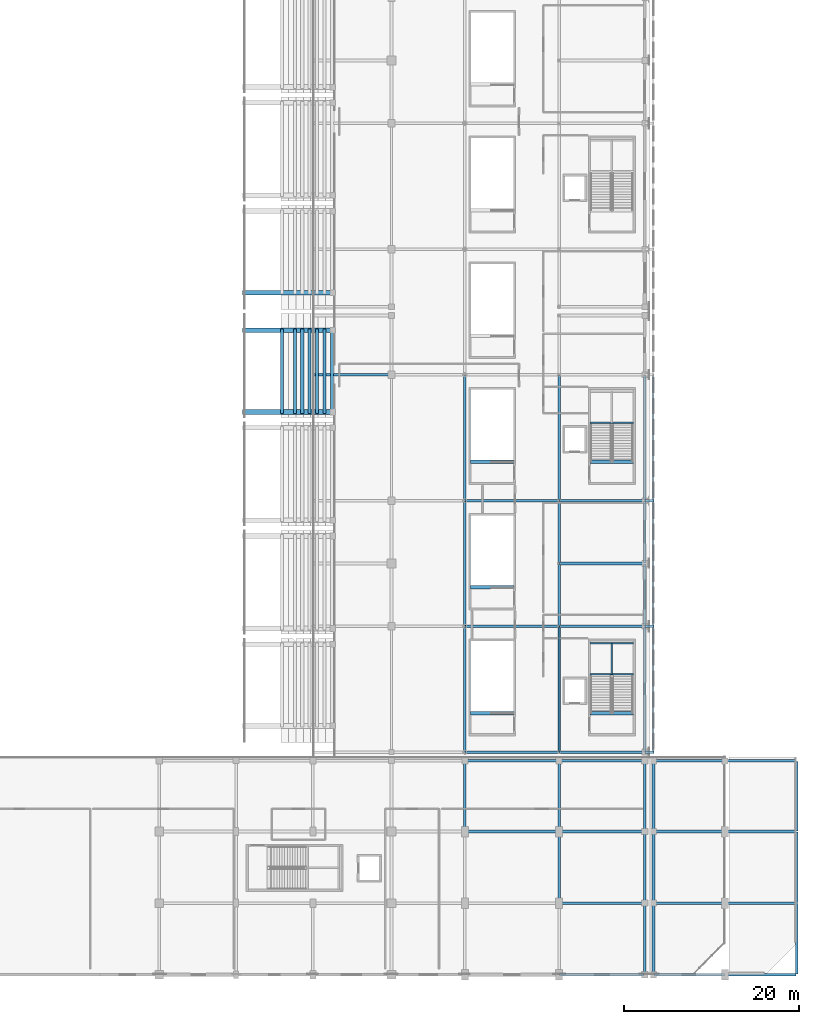
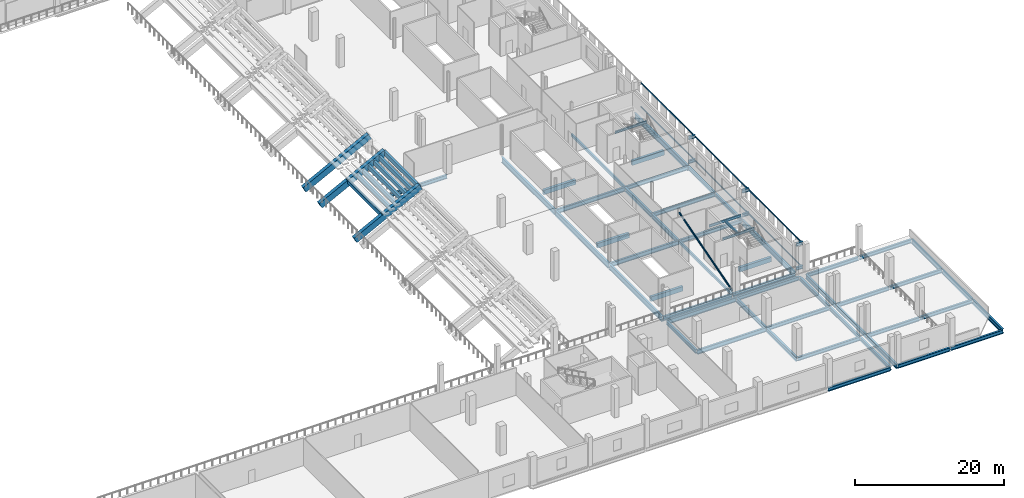
# One storey, part 18 of 74: 70 beams, 7 members.
"""IFC4 building model written with IfcOpenShell, lengths in metres."""

from ifc_helpers import new_model, si_unit, direction, frame, origin, origin_2d, place, context, subcontext, project, spatial, rectangle, hollow_rectangle, hollow_circle, i_section, extrude, material, material_profile, profile_set, type_object, element, save


model = new_model("IFC4")

# Units and contexts
model_context = context("Model", 3, precision=1e-05, world=origin(), true_north=direction((0.0, 1.0)))
body_context = subcontext(model_context, "Body", "Model", "MODEL_VIEW")
ifc_project = project(units=[si_unit("LENGTHUNIT", "METRE"), si_unit("AREAUNIT", "SQUARE_METRE"), si_unit("VOLUMEUNIT", "CUBIC_METRE"), si_unit("PLANEANGLEUNIT", "RADIAN"), si_unit("MASSUNIT", "GRAM", prefix="KILO")], contexts=[model_context])

# Site, building, storey
site_placement = place(None, origin())
site = spatial("IfcSite", under=ifc_project, at=site_placement, CompositionType="ELEMENT")
building_placement = place(site_placement, origin())
building = spatial("IfcBuilding", under=site, at=building_placement, Name="Koshinbarg Plaza Stadium", CompositionType="ELEMENT")
storey_placement = place(building_placement, frame((0.0, 0.0, 15.0)))
storey = spatial("IfcBuildingStorey", under=building, at=storey_placement, Name="L03", CompositionType="ELEMENT", Elevation=15.0)

# Beams
ifc_material_1 = material(Name="Steel S355", Category="steel")
ifc_material_profile_1 = material_profile(ifc_material_1, i_section(OverallWidth=0.300048828125, OverallDepth=0.5, WebThickness=0.014404296875, FlangeThickness=0.028076171875, at=origin_2d()), Name="HEB 500")
ifc_profile_set_1 = profile_set([ifc_material_profile_1], Name="Steel S355")
beam_type_1 = type_object("IfcBeamType", Name="BM-CANOPY-CANT", PredefinedType="BEAM", material=ifc_profile_set_1)
for number, where, z_axis, x_axis, name in (
    (1, (218.39990234375, 25.5, 0.25), (1.0, 0.0, 0.0), (0.0, 1.0, 0.0), "Outer screen cantilever outrigger E-L03-Y01"),
    (2, (218.39990234375, 25.5, 4.179931640625), (1.0, 0.0, 0.0), (0.0, 1.0, 0.0), "Outer screen cantilever outrigger E-L03-Y01"),
    (3, (218.39990234375, 39.89990234375, 0.25), (1.0, 0.0, 0.0), (0.0, 1.0, 0.0), "Outer screen cantilever outrigger E-L03-Y02"),
    (4, (218.39990234375, 39.89990234375, 4.179931640625), (1.0, 0.0, 0.0), (0.0, 1.0, 0.0), "Outer screen cantilever outrigger E-L03-Y02"),
    (5, (218.39990234375, 54.300048828125, 0.25), (1.0, 0.0, 0.0), (0.0, 1.0, 0.0), "Outer screen cantilever outrigger E-L03-Y03"),
    (6, (218.39990234375, 54.300048828125, 4.179931640625), (1.0, 0.0, 0.0), (0.0, 1.0, 0.0), "Outer screen cantilever outrigger E-L03-Y03"),
):
    element("IfcBeam", number, at=place(storey_placement, frame(where, z_axis=z_axis, x_axis=x_axis)), inside=storey, type_object=beam_type_1, Name=name, PredefinedType="BEAM", context=body_context, shape_type="SweptSolid", body=[
        extrude(i_section(OverallWidth=0.300048828125, OverallDepth=0.5, WebThickness=0.014404296875, FlangeThickness=0.028076171875, at=origin_2d()), origin(), (0.0, 0.0, 1.0), 1.030029296875),
    ])
ifc_material_2 = material(Name="Concrete C40/50", Category="concrete")
ifc_material_profile_2 = material_profile(ifc_material_2, rectangle(XDim=0.550048828125, YDim=1.0, at=origin_2d()), Name="RC 550x1000")
ifc_profile_set_2 = profile_set([ifc_material_profile_2], Name="Concrete C40/50")
beam_type_2 = type_object("IfcBeamType", Name="BM-RAKER-UT", PredefinedType="USERDEFINED", material=ifc_profile_set_2)
for number, where, z_axis, x_axis, name in (
    (7, (172.5400390625, 64.449951171875, -2.54296875), (0.888953125137, 0.0, 0.457998189198), (0.0, 1.0, 0.0), "Upper cantilevered bowl raker girder RAKER UT-E04-L"),
    (8, (172.5400390625, 73.800048828125, -2.54296875), (0.888953125137, 0.0, 0.457998189198), (0.0, 1.0, 0.0), "Upper cantilevered bowl raker girder RAKER UT-E04-R"),
    (9, (172.5400390625, 78.10009765625, -2.54296875), (0.888953125137, 0.0, 0.457998189198), (0.0, 1.0, 0.0), "Upper cantilevered bowl raker girder RAKER UT-E05-L"),
):
    element("IfcBeam", number, at=place(storey_placement, frame(where, z_axis=z_axis, x_axis=x_axis)), inside=storey, type_object=beam_type_2, Name=name, ObjectType="GIRDER", PredefinedType="USERDEFINED", context=body_context, shape_type="SweptSolid", body=[
        extrude(rectangle(XDim=0.550048828125, YDim=1.0, at=origin_2d()), origin(), (0.0, 0.0, 1.0), 11.384033203125),
    ])
ifc_material_profile_3 = material_profile(ifc_material_2, rectangle(XDim=0.35009765625, YDim=0.60009765625, at=origin_2d()), Name="RC 350x600")
ifc_profile_set_3 = profile_set([ifc_material_profile_3], Name="Concrete C40/50")
beam_type_3 = type_object("IfcBeamType", Name="BM-RCG-01", PredefinedType="SPANDREL", material=ifc_profile_set_3)
for number, where, z_axis, x_axis, name in (
    (10, (176.8701171875, 64.300048828125, -0.080078125), (0.0, 1.0, 0.0), (-1.0, 0.0, 0.0), "Upper tier seat bearer UT-E04-R06"),
    (11, (178.330078125, 64.300048828125, 0.360107421875), (0.0, 1.0, 0.0), (-1.0, 0.0, 0.0), "Upper tier seat bearer UT-E04-R07"),
    (12, (179.179931640625, 64.300048828125, 0.800048828125), (0.0, 1.0, 0.0), (-1.0, 0.0, 0.0), "Upper tier seat bearer UT-E04-R08"),
    (13, (180.030029296875, 64.300048828125, 1.239990234375), (0.0, 1.0, 0.0), (-1.0, 0.0, 0.0), "Upper tier seat bearer UT-E04-R09"),
    (14, (180.8798828125, 64.300048828125, 1.679931640625), (0.0, 1.0, 0.0), (-1.0, 0.0, 0.0), "Upper tier seat bearer UT-E04-R10"),
    (15, (181.72998046875, 64.300048828125, 2.1201171875), (0.0, 1.0, 0.0), (-1.0, 0.0, 0.0), "Upper tier seat bearer UT-E04-R11"),
    (16, (182.580078125, 64.300048828125, 2.56005859375), (0.0, 1.0, 0.0), (-1.0, 0.0, 0.0), "Upper tier seat bearer UT-E04-R12"),
):
    element("IfcBeam", number, at=place(storey_placement, frame(where, z_axis=z_axis, x_axis=x_axis)), inside=storey, type_object=beam_type_3, Name=name, PredefinedType="SPANDREL", context=body_context, shape_type="SweptSolid", body=[
        extrude(rectangle(XDim=0.35009765625, YDim=0.60009765625, at=origin_2d()), origin(), (0.0, 0.0, 1.0), 9.64990234375),
    ])
ifc_material_profile_4 = material_profile(ifc_material_2, rectangle(XDim=0.39990234375, YDim=0.75, at=origin_2d()), Name="RC 400x750")
ifc_profile_set_4 = profile_set([ifc_material_profile_4], Name="Concrete C40/50")
beam_type_4 = type_object("IfcBeamType", Name="BM-RCG-03", PredefinedType="USERDEFINED", material=ifc_profile_set_4)
for number, where, z_axis, x_axis, name in (
    (17, (212.14990234375, 29.9599609375, -0.375), (1.0, 0.0, 0.0), (0.0, 1.0, 0.0), "L03 stair landing header beam C07"),
    (18, (212.14990234375, 58.760009765625, -0.375), (1.0, 0.0, 0.0), (0.0, 1.0, 0.0), "L03 stair landing header beam C08"),
):
    element("IfcBeam", number, at=place(storey_placement, frame(where, z_axis=z_axis, x_axis=x_axis)), inside=storey, type_object=beam_type_4, Name=name, ObjectType="GIRDER", PredefinedType="USERDEFINED", context=body_context, shape_type="SweptSolid", body=[
        extrude(rectangle(XDim=0.39990234375, YDim=0.75, at=origin_2d()), origin(), (0.0, 0.0, 1.0), 4.97021484375),
    ])
for number, where, z_axis, x_axis, name in (
    (19, (198.449951171875, 29.9599609375, -0.375), (1.0, 0.0, 0.0), (0.0, 1.0, 0.0), "L03 stair landing header beam VX07"),
    (20, (198.449951171875, 44.360107421875, -0.375), (1.0, 0.0, 0.0), (0.0, 1.0, 0.0), "L03 stair landing header beam VX08"),
    (21, (198.449951171875, 58.760009765625, -0.375), (1.0, 0.0, 0.0), (0.0, 1.0, 0.0), "L03 stair landing header beam VX09"),
):
    element("IfcBeam", number, at=place(storey_placement, frame(where, z_axis=z_axis, x_axis=x_axis)), inside=storey, type_object=beam_type_4, Name=name, ObjectType="GIRDER", PredefinedType="USERDEFINED", context=body_context, shape_type="SweptSolid", body=[
        extrude(rectangle(XDim=0.39990234375, YDim=0.75, at=origin_2d()), origin(), (0.0, 0.0, 1.0), 4.969970703125),
    ])
ifc_material_profile_5 = material_profile(ifc_material_1, i_section(OverallWidth=0.179931640625, OverallDepth=0.39990234375, WebThickness=0.008544921875, FlangeThickness=0.013427734375, at=origin_2d()), Name="IPE 400")
ifc_profile_set_5 = profile_set([ifc_material_profile_5], Name="Steel S355")
beam_type_5 = type_object("IfcBeamType", Name="BM-SBM-01", PredefinedType="BEAM", material=ifc_profile_set_5)
for number, where, z_axis, x_axis, name in (
    (22, (212.14990234375, 34.409912109375, 1.8798828125), (1.0, 0.0, 0.0), (0.0, 1.0, 0.0), "L03 Protected Exit Stair C07 landing trimmer beam 1"),
    (23, (212.14990234375, 37.949951171875, 1.8798828125), (1.0, 0.0, 0.0), (0.0, 1.0, 0.0), "L03 Protected Exit Stair C07 landing trimmer beam 2"),
):
    element("IfcBeam", number, at=place(storey_placement, frame(where, z_axis=z_axis, x_axis=x_axis)), inside=storey, type_object=beam_type_5, Name=name, PredefinedType="BEAM", context=body_context, shape_type="SweptSolid", body=[
        extrude(i_section(OverallWidth=0.179931640625, OverallDepth=0.39990234375, WebThickness=0.008544921875, FlangeThickness=0.013427734375, at=origin_2d()), origin(), (0.0, 0.0, 1.0), 4.97021484375),
    ])
beam_1_placement = place(storey_placement, frame((214.635009765625, 34.409912109375, 1.8798828125), z_axis=(0.0, 1.0, 0.0), x_axis=(-1.0, 0.0, 0.0)))
element("IfcBeam", 24, at=beam_1_placement, inside=storey, type_object=beam_type_5, Name="L03 Protected Exit Stair C07 landing trimmer beam 3", PredefinedType="BEAM", context=body_context, shape_type="SweptSolid", body=[
    extrude(i_section(OverallWidth=0.179931640625, OverallDepth=0.39990234375, WebThickness=0.008544921875, FlangeThickness=0.013427734375, at=origin_2d()), origin(), (0.0, 0.0, 1.0), 3.5400390625),
])
beam_2_placement = place(storey_placement, frame((212.14990234375, 63.2099609375, 1.8798828125), z_axis=(1.0, 0.0, 0.0), x_axis=(0.0, 1.0, 0.0)))
element("IfcBeam", 25, at=beam_2_placement, inside=storey, type_object=beam_type_5, Name="L03 Protected Exit Stair C08 landing trimmer beam 1", PredefinedType="BEAM", context=body_context, shape_type="SweptSolid", body=[
    extrude(i_section(OverallWidth=0.179931640625, OverallDepth=0.39990234375, WebThickness=0.008544921875, FlangeThickness=0.013427734375, at=origin_2d()), origin(), (0.0, 0.0, 1.0), 4.97021484375),
])
ifc_material_profile_6 = material_profile(ifc_material_1, i_section(OverallWidth=0.300048828125, OverallDepth=0.60009765625, WebThickness=0.015380859375, FlangeThickness=0.030029296875, at=origin_2d()), Name="HEB 600")
ifc_profile_set_6 = profile_set([ifc_material_profile_6], Name="Steel S355")
beam_type_6 = type_object("IfcBeamType", Name="BM-SGIR-02", PredefinedType="USERDEFINED", material=ifc_profile_set_6)
beam_3_placement = place(storey_placement, frame((208.659912109375, 0.0, -0.6201171875), z_axis=(1.0, 0.0, 0.0), x_axis=(0.0, 1.0, 0.0)))
element("IfcBeam", 26, at=beam_3_placement, inside=storey, type_object=beam_type_6, Name="L03 X girder A/20-21", ObjectType="GIRDER", PredefinedType="USERDEFINED", context=body_context, shape_type="SweptSolid", body=[
    extrude(i_section(OverallWidth=0.300048828125, OverallDepth=0.60009765625, WebThickness=0.015380859375, FlangeThickness=0.030029296875, at=origin_2d()), origin(), (0.0, 0.0, 1.0), 9.68017578125),
])
for number, where, z_axis, x_axis, name in (
    (27, (219.4599609375, 0.0, -0.6201171875), (1.0, 0.0, 0.0), (0.0, 1.0, 0.0), "L03 X girder A/22-23"),
    (28, (227.659912109375, 0.0, -0.60009765625), (1.0, 0.0, 0.0), (0.0, 1.0, 0.0), "L03 X girder A/23-24"),
):
    element("IfcBeam", number, at=place(storey_placement, frame(where, z_axis=z_axis, x_axis=x_axis)), inside=storey, type_object=beam_type_6, Name=name, ObjectType="GIRDER", PredefinedType="USERDEFINED", context=body_context, shape_type="SweptSolid", body=[
        extrude(i_section(OverallWidth=0.300048828125, OverallDepth=0.60009765625, WebThickness=0.015380859375, FlangeThickness=0.030029296875, at=origin_2d()), origin(), (0.0, 0.0, 1.0), 8.080078125),
    ])
beam_4_placement = place(storey_placement, frame((208.659912109375, 8.199951171875, -0.6201171875), z_axis=(1.0, 0.0, 0.0), x_axis=(0.0, 1.0, 0.0)))
element("IfcBeam", 29, at=beam_4_placement, inside=storey, type_object=beam_type_6, Name="L03 X girder B/20-21", ObjectType="GIRDER", PredefinedType="USERDEFINED", context=body_context, shape_type="SweptSolid", body=[
    extrude(i_section(OverallWidth=0.300048828125, OverallDepth=0.60009765625, WebThickness=0.015380859375, FlangeThickness=0.030029296875, at=origin_2d()), origin(), (0.0, 0.0, 1.0), 9.68017578125),
])
for number, where, z_axis, x_axis, name in (
    (30, (219.4599609375, 8.199951171875, -0.6201171875), (1.0, 0.0, 0.0), (0.0, 1.0, 0.0), "L03 X girder B/22-23"),
    (31, (227.659912109375, 8.199951171875, -0.60009765625), (1.0, 0.0, 0.0), (0.0, 1.0, 0.0), "L03 X girder B/23-24"),
):
    element("IfcBeam", number, at=place(storey_placement, frame(where, z_axis=z_axis, x_axis=x_axis)), inside=storey, type_object=beam_type_6, Name=name, ObjectType="GIRDER", PredefinedType="USERDEFINED", context=body_context, shape_type="SweptSolid", body=[
        extrude(i_section(OverallWidth=0.300048828125, OverallDepth=0.60009765625, WebThickness=0.015380859375, FlangeThickness=0.030029296875, at=origin_2d()), origin(), (0.0, 0.0, 1.0), 8.080078125),
    ])
beam_5_placement = place(storey_placement, frame((208.659912109375, 16.39990234375, -0.6201171875), z_axis=(1.0, 0.0, 0.0), x_axis=(0.0, 1.0, 0.0)))
element("IfcBeam", 32, at=beam_5_placement, inside=storey, type_object=beam_type_6, Name="L03 X girder C/20-21", ObjectType="GIRDER", PredefinedType="USERDEFINED", context=body_context, shape_type="SweptSolid", body=[
    extrude(i_section(OverallWidth=0.300048828125, OverallDepth=0.60009765625, WebThickness=0.015380859375, FlangeThickness=0.030029296875, at=origin_2d()), origin(), (0.0, 0.0, 1.0), 9.68017578125),
])
for number, where, z_axis, x_axis, name in (
    (33, (219.4599609375, 16.39990234375, -0.6201171875), (1.0, 0.0, 0.0), (0.0, 1.0, 0.0), "L03 X girder C/22-23"),
    (34, (227.659912109375, 16.39990234375, -0.60009765625), (1.0, 0.0, 0.0), (0.0, 1.0, 0.0), "L03 X girder C/23-24"),
):
    element("IfcBeam", number, at=place(storey_placement, frame(where, z_axis=z_axis, x_axis=x_axis)), inside=storey, type_object=beam_type_6, Name=name, ObjectType="GIRDER", PredefinedType="USERDEFINED", context=body_context, shape_type="SweptSolid", body=[
        extrude(i_section(OverallWidth=0.300048828125, OverallDepth=0.60009765625, WebThickness=0.015380859375, FlangeThickness=0.030029296875, at=origin_2d()), origin(), (0.0, 0.0, 1.0), 8.080078125),
    ])
beam_6_placement = place(storey_placement, frame((208.659912109375, 24.5, -0.6201171875), z_axis=(1.0, 0.0, 0.0), x_axis=(0.0, 1.0, 0.0)))
element("IfcBeam", 35, at=beam_6_placement, inside=storey, type_object=beam_type_6, Name="L03 X girder D/20-21", ObjectType="GIRDER", PredefinedType="USERDEFINED", context=body_context, shape_type="SweptSolid", body=[
    extrude(i_section(OverallWidth=0.300048828125, OverallDepth=0.60009765625, WebThickness=0.015380859375, FlangeThickness=0.030029296875, at=origin_2d()), origin(), (0.0, 0.0, 1.0), 9.68017578125),
])
for number, where, z_axis, x_axis, name in (
    (36, (219.4599609375, 24.5, -0.6201171875), (1.0, 0.0, 0.0), (0.0, 1.0, 0.0), "L03 X girder D/22-23"),
    (37, (227.659912109375, 24.5, -0.60009765625), (1.0, 0.0, 0.0), (0.0, 1.0, 0.0), "L03 X girder D/23-24"),
):
    element("IfcBeam", number, at=place(storey_placement, frame(where, z_axis=z_axis, x_axis=x_axis)), inside=storey, type_object=beam_type_6, Name=name, ObjectType="GIRDER", PredefinedType="USERDEFINED", context=body_context, shape_type="SweptSolid", body=[
        extrude(i_section(OverallWidth=0.300048828125, OverallDepth=0.60009765625, WebThickness=0.015380859375, FlangeThickness=0.030029296875, at=origin_2d()), origin(), (0.0, 0.0, 1.0), 8.080078125),
    ])
for number, where, z_axis, x_axis, name in (
    (38, (208.659912109375, 25.5, -0.6201171875), (1.0, 0.0, 0.0), (0.0, 1.0, 0.0), "L03 X girder E/20-21"),
    (39, (208.659912109375, 39.89990234375, -0.6201171875), (1.0, 0.0, 0.0), (0.0, 1.0, 0.0), "L03 X girder F/20-21"),
    (40, (208.659912109375, 47.10009765625, -0.6201171875), (1.0, 0.0, 0.0), (0.0, 1.0, 0.0), "L03 X girder G/20-21"),
    (41, (208.659912109375, 54.300048828125, -0.6201171875), (1.0, 0.0, 0.0), (0.0, 1.0, 0.0), "L03 X girder H/20-21"),
):
    element("IfcBeam", number, at=place(storey_placement, frame(where, z_axis=z_axis, x_axis=x_axis)), inside=storey, type_object=beam_type_6, Name=name, ObjectType="GIRDER", PredefinedType="USERDEFINED", context=body_context, shape_type="SweptSolid", body=[
        extrude(i_section(OverallWidth=0.300048828125, OverallDepth=0.60009765625, WebThickness=0.015380859375, FlangeThickness=0.030029296875, at=origin_2d()), origin(), (0.0, 0.0, 1.0), 9.68017578125),
    ])
beam_7_placement = place(storey_placement, frame((180.4599609375, 68.699951171875, -0.6201171875), z_axis=(1.0, 0.0, 0.0), x_axis=(0.0, 1.0, 0.0)))
element("IfcBeam", 42, at=beam_7_placement, inside=storey, type_object=beam_type_6, Name="L03 X girder J/17-18", ObjectType="GIRDER", PredefinedType="USERDEFINED", context=body_context, shape_type="SweptSolid", body=[
    extrude(i_section(OverallWidth=0.300048828125, OverallDepth=0.60009765625, WebThickness=0.015380859375, FlangeThickness=0.030029296875, at=origin_2d()), origin(), (0.0, 0.0, 1.0), 8.880126953125),
])
beam_8_placement = place(storey_placement, frame((197.800048828125, 16.4599609375, -0.6201171875), z_axis=(0.0, 1.0, 0.0), x_axis=(-1.0, 0.0, 0.0)))
element("IfcBeam", 43, at=beam_8_placement, inside=storey, type_object=beam_type_6, Name="L03 Y girder 19/C-D", ObjectType="GIRDER", PredefinedType="USERDEFINED", context=body_context, shape_type="SweptSolid", body=[
    extrude(i_section(OverallWidth=0.300048828125, OverallDepth=0.60009765625, WebThickness=0.015380859375, FlangeThickness=0.030029296875, at=origin_2d()), origin(), (0.0, 0.0, 1.0), 7.97998046875),
])
beam_9_placement = place(storey_placement, frame((218.39990234375, 0.06005859375, -0.6201171875), z_axis=(0.0, 1.0, 0.0), x_axis=(-1.0, 0.0, 0.0)))
element("IfcBeam", 44, at=beam_9_placement, inside=storey, type_object=beam_type_6, Name="L03 Y girder 21/A-B", ObjectType="GIRDER", PredefinedType="USERDEFINED", context=body_context, shape_type="SweptSolid", body=[
    extrude(i_section(OverallWidth=0.300048828125, OverallDepth=0.60009765625, WebThickness=0.015380859375, FlangeThickness=0.030029296875, at=origin_2d()), origin(), (0.0, 0.0, 1.0), 8.079833984375),
])
beam_10_placement = place(storey_placement, frame((218.39990234375, 8.260009765625, -0.6201171875), z_axis=(0.0, 1.0, 0.0), x_axis=(-1.0, 0.0, 0.0)))
element("IfcBeam", 45, at=beam_10_placement, inside=storey, type_object=beam_type_6, Name="L03 Y girder 21/B-C", ObjectType="GIRDER", PredefinedType="USERDEFINED", context=body_context, shape_type="SweptSolid", body=[
    extrude(i_section(OverallWidth=0.300048828125, OverallDepth=0.60009765625, WebThickness=0.015380859375, FlangeThickness=0.030029296875, at=origin_2d()), origin(), (0.0, 0.0, 1.0), 8.080078125),
])
beam_11_placement = place(storey_placement, frame((218.39990234375, 16.4599609375, -0.6201171875), z_axis=(0.0, 1.0, 0.0), x_axis=(-1.0, 0.0, 0.0)))
element("IfcBeam", 46, at=beam_11_placement, inside=storey, type_object=beam_type_6, Name="L03 Y girder 21/C-D", ObjectType="GIRDER", PredefinedType="USERDEFINED", context=body_context, shape_type="SweptSolid", body=[
    extrude(i_section(OverallWidth=0.300048828125, OverallDepth=0.60009765625, WebThickness=0.015380859375, FlangeThickness=0.030029296875, at=origin_2d()), origin(), (0.0, 0.0, 1.0), 7.97998046875),
])
for number, where, z_axis, x_axis, name in (
    (47, (218.39990234375, 39.9599609375, -0.6201171875), (0.0, 1.0, 0.0), (-1.0, 0.0, 0.0), "L03 Y girder 21/F-G"),
    (48, (218.39990234375, 47.159912109375, -0.6201171875), (0.0, 1.0, 0.0), (-1.0, 0.0, 0.0), "L03 Y girder 21/G-H"),
):
    element("IfcBeam", number, at=place(storey_placement, frame(where, z_axis=z_axis, x_axis=x_axis)), inside=storey, type_object=beam_type_6, Name=name, ObjectType="GIRDER", PredefinedType="USERDEFINED", context=body_context, shape_type="SweptSolid", body=[
        extrude(i_section(OverallWidth=0.300048828125, OverallDepth=0.60009765625, WebThickness=0.015380859375, FlangeThickness=0.030029296875, at=origin_2d()), origin(), (0.0, 0.0, 1.0), 7.080078125),
    ])
ifc_material_profile_7 = material_profile(ifc_material_1, i_section(OverallWidth=0.300048828125, OverallDepth=0.699951171875, WebThickness=0.01708984375, FlangeThickness=0.031982421875, at=origin_2d()), Name="HEB 700")
ifc_profile_set_7 = profile_set([ifc_material_profile_7], Name="Steel S355")
beam_type_7 = type_object("IfcBeamType", Name="BM-SGIR-03", PredefinedType="USERDEFINED", material=ifc_profile_set_7)
for number, where, z_axis, x_axis, name in (
    (49, (197.860107421875, 16.39990234375, -0.669921875), (1.0, 0.0, 0.0), (0.0, 1.0, 0.0), "L03 X girder C/19-20"),
    (50, (197.860107421875, 24.5, -0.669921875), (1.0, 0.0, 0.0), (0.0, 1.0, 0.0), "L03 X girder D/19-20"),
    (51, (197.860107421875, 25.5, -0.669921875), (1.0, 0.0, 0.0), (0.0, 1.0, 0.0), "L03 X girder E/19-20"),
    (52, (197.860107421875, 39.89990234375, -0.669921875), (1.0, 0.0, 0.0), (0.0, 1.0, 0.0), "L03 X girder F/19-20"),
    (53, (197.860107421875, 54.300048828125, -0.669921875), (1.0, 0.0, 0.0), (0.0, 1.0, 0.0), "L03 X girder H/19-20"),
):
    element("IfcBeam", number, at=place(storey_placement, frame(where, z_axis=z_axis, x_axis=x_axis)), inside=storey, type_object=beam_type_7, Name=name, ObjectType="GIRDER", PredefinedType="USERDEFINED", context=body_context, shape_type="SweptSolid", body=[
        extrude(i_section(OverallWidth=0.300048828125, OverallDepth=0.699951171875, WebThickness=0.01708984375, FlangeThickness=0.031982421875, at=origin_2d()), origin(), (0.0, 0.0, 1.0), 10.679931640625),
    ])
beam_12_placement = place(storey_placement, frame((208.60009765625, 8.260009765625, -0.669921875), z_axis=(0.0, 1.0, 0.0), x_axis=(-1.0, 0.0, 0.0)))
element("IfcBeam", 54, at=beam_12_placement, inside=storey, type_object=beam_type_7, Name="L03 Y girder 20/B-C", ObjectType="GIRDER", PredefinedType="USERDEFINED", context=body_context, shape_type="SweptSolid", body=[
    extrude(i_section(OverallWidth=0.300048828125, OverallDepth=0.699951171875, WebThickness=0.01708984375, FlangeThickness=0.031982421875, at=origin_2d()), origin(), (0.0, 0.0, 1.0), 8.080078125),
])
beam_13_placement = place(storey_placement, frame((208.60009765625, 16.4599609375, -0.669921875), z_axis=(0.0, 1.0, 0.0), x_axis=(-1.0, 0.0, 0.0)))
element("IfcBeam", 55, at=beam_13_placement, inside=storey, type_object=beam_type_7, Name="L03 Y girder 20/C-D", ObjectType="GIRDER", PredefinedType="USERDEFINED", context=body_context, shape_type="SweptSolid", body=[
    extrude(i_section(OverallWidth=0.300048828125, OverallDepth=0.699951171875, WebThickness=0.01708984375, FlangeThickness=0.031982421875, at=origin_2d()), origin(), (0.0, 0.0, 1.0), 7.97998046875),
])
for number, where, z_axis, x_axis, name in (
    (56, (208.60009765625, 39.9599609375, -0.669921875), (0.0, 1.0, 0.0), (-1.0, 0.0, 0.0), "L03 Y girder 20/F-G"),
    (57, (208.60009765625, 47.159912109375, -0.669921875), (0.0, 1.0, 0.0), (-1.0, 0.0, 0.0), "L03 Y girder 20/G-H"),
):
    element("IfcBeam", number, at=place(storey_placement, frame(where, z_axis=z_axis, x_axis=x_axis)), inside=storey, type_object=beam_type_7, Name=name, ObjectType="GIRDER", PredefinedType="USERDEFINED", context=body_context, shape_type="SweptSolid", body=[
        extrude(i_section(OverallWidth=0.300048828125, OverallDepth=0.699951171875, WebThickness=0.01708984375, FlangeThickness=0.031982421875, at=origin_2d()), origin(), (0.0, 0.0, 1.0), 7.080078125),
    ])
beam_14_placement = place(storey_placement, frame((219.39990234375, 0.06005859375, -0.669921875), z_axis=(0.0, 1.0, 0.0), x_axis=(-1.0, 0.0, 0.0)))
element("IfcBeam", 58, at=beam_14_placement, inside=storey, type_object=beam_type_7, Name="L03 Y girder 22/A-B", ObjectType="GIRDER", PredefinedType="USERDEFINED", context=body_context, shape_type="SweptSolid", body=[
    extrude(i_section(OverallWidth=0.300048828125, OverallDepth=0.699951171875, WebThickness=0.01708984375, FlangeThickness=0.031982421875, at=origin_2d()), origin(), (0.0, 0.0, 1.0), 8.079833984375),
])
beam_15_placement = place(storey_placement, frame((219.39990234375, 8.260009765625, -0.669921875), z_axis=(0.0, 1.0, 0.0), x_axis=(-1.0, 0.0, 0.0)))
element("IfcBeam", 59, at=beam_15_placement, inside=storey, type_object=beam_type_7, Name="L03 Y girder 22/B-C", ObjectType="GIRDER", PredefinedType="USERDEFINED", context=body_context, shape_type="SweptSolid", body=[
    extrude(i_section(OverallWidth=0.300048828125, OverallDepth=0.699951171875, WebThickness=0.01708984375, FlangeThickness=0.031982421875, at=origin_2d()), origin(), (0.0, 0.0, 1.0), 8.080078125),
])
beam_16_placement = place(storey_placement, frame((219.39990234375, 16.4599609375, -0.669921875), z_axis=(0.0, 1.0, 0.0), x_axis=(-1.0, 0.0, 0.0)))
element("IfcBeam", 60, at=beam_16_placement, inside=storey, type_object=beam_type_7, Name="L03 Y girder 22/C-D", ObjectType="GIRDER", PredefinedType="USERDEFINED", context=body_context, shape_type="SweptSolid", body=[
    extrude(i_section(OverallWidth=0.300048828125, OverallDepth=0.699951171875, WebThickness=0.01708984375, FlangeThickness=0.031982421875, at=origin_2d()), origin(), (0.0, 0.0, 1.0), 7.97998046875),
])
beam_17_placement = place(storey_placement, frame((235.800048828125, 0.06005859375, -0.64990234375), z_axis=(0.0, 1.0, 0.0), x_axis=(-1.0, 0.0, 0.0)))
element("IfcBeam", 61, at=beam_17_placement, inside=storey, type_object=beam_type_7, Name="L03 Y girder 24/A-B", ObjectType="GIRDER", PredefinedType="USERDEFINED", context=body_context, shape_type="SweptSolid", body=[
    extrude(i_section(OverallWidth=0.300048828125, OverallDepth=0.699951171875, WebThickness=0.01708984375, FlangeThickness=0.031982421875, at=origin_2d()), origin(), (0.0, 0.0, 1.0), 8.079833984375),
])
beam_18_placement = place(storey_placement, frame((235.800048828125, 8.260009765625, -0.64990234375), z_axis=(0.0, 1.0, 0.0), x_axis=(-1.0, 0.0, 0.0)))
element("IfcBeam", 62, at=beam_18_placement, inside=storey, type_object=beam_type_7, Name="L03 Y girder 24/B-C", ObjectType="GIRDER", PredefinedType="USERDEFINED", context=body_context, shape_type="SweptSolid", body=[
    extrude(i_section(OverallWidth=0.300048828125, OverallDepth=0.699951171875, WebThickness=0.01708984375, FlangeThickness=0.031982421875, at=origin_2d()), origin(), (0.0, 0.0, 1.0), 8.080078125),
])
beam_19_placement = place(storey_placement, frame((235.800048828125, 16.4599609375, -0.64990234375), z_axis=(0.0, 1.0, 0.0), x_axis=(-1.0, 0.0, 0.0)))
element("IfcBeam", 63, at=beam_19_placement, inside=storey, type_object=beam_type_7, Name="L03 Y girder 24/C-D", ObjectType="GIRDER", PredefinedType="USERDEFINED", context=body_context, shape_type="SweptSolid", body=[
    extrude(i_section(OverallWidth=0.300048828125, OverallDepth=0.699951171875, WebThickness=0.01708984375, FlangeThickness=0.031982421875, at=origin_2d()), origin(), (0.0, 0.0, 1.0), 7.97998046875),
])
ifc_material_profile_8 = material_profile(ifc_material_1, i_section(OverallWidth=0.300048828125, OverallDepth=0.89990234375, WebThickness=0.0185546875, FlangeThickness=0.034912109375, at=origin_2d()), Name="HEB 900")
ifc_profile_set_8 = profile_set([ifc_material_profile_8], Name="Steel S355")
beam_type_8 = type_object("IfcBeamType", Name="BM-SGIR-05", PredefinedType="USERDEFINED", material=ifc_profile_set_8)
for number, where, z_axis, x_axis, name in (
    (64, (197.800048828125, 25.56005859375, -0.77001953125), (0.0, 1.0, 0.0), (-1.0, 0.0, 0.0), "L03 Y girder 19/E-F"),
    (65, (197.800048828125, 39.9599609375, -0.77001953125), (0.0, 1.0, 0.0), (-1.0, 0.0, 0.0), "L03 Y girder 19/F-H"),
):
    element("IfcBeam", number, at=place(storey_placement, frame(where, z_axis=z_axis, x_axis=x_axis)), inside=storey, type_object=beam_type_8, Name=name, ObjectType="GIRDER", PredefinedType="USERDEFINED", context=body_context, shape_type="SweptSolid", body=[
        extrude(i_section(OverallWidth=0.300048828125, OverallDepth=0.89990234375, WebThickness=0.0185546875, FlangeThickness=0.034912109375, at=origin_2d()), origin(), (0.0, 0.0, 1.0), 14.280029296875),
    ])
beam_20_placement = place(storey_placement, frame((197.800048828125, 54.360107421875, -0.77001953125), z_axis=(0.0, 1.0, 0.0), x_axis=(-1.0, 0.0, 0.0)))
element("IfcBeam", 66, at=beam_20_placement, inside=storey, type_object=beam_type_8, Name="L03 Y girder 19/H-J", ObjectType="GIRDER", PredefinedType="USERDEFINED", context=body_context, shape_type="SweptSolid", body=[
    extrude(i_section(OverallWidth=0.300048828125, OverallDepth=0.89990234375, WebThickness=0.0185546875, FlangeThickness=0.034912109375, at=origin_2d()), origin(), (0.0, 0.0, 1.0), 14.27978515625),
])
beam_21_placement = place(storey_placement, frame((218.39990234375, 25.56005859375, -0.77001953125), z_axis=(0.0, 1.0, 0.0), x_axis=(-1.0, 0.0, 0.0)))
element("IfcBeam", 67, at=beam_21_placement, inside=storey, type_object=beam_type_8, Name="L03 Y girder 21/E-F", ObjectType="GIRDER", PredefinedType="USERDEFINED", context=body_context, shape_type="SweptSolid", body=[
    extrude(i_section(OverallWidth=0.300048828125, OverallDepth=0.89990234375, WebThickness=0.0185546875, FlangeThickness=0.034912109375, at=origin_2d()), origin(), (0.0, 0.0, 1.0), 14.280029296875),
])
beam_22_placement = place(storey_placement, frame((218.39990234375, 54.360107421875, -0.77001953125), z_axis=(0.0, 1.0, 0.0), x_axis=(-1.0, 0.0, 0.0)))
element("IfcBeam", 68, at=beam_22_placement, inside=storey, type_object=beam_type_8, Name="L03 Y girder 21/H-J", ObjectType="GIRDER", PredefinedType="USERDEFINED", context=body_context, shape_type="SweptSolid", body=[
    extrude(i_section(OverallWidth=0.300048828125, OverallDepth=0.89990234375, WebThickness=0.0185546875, FlangeThickness=0.034912109375, at=origin_2d()), origin(), (0.0, 0.0, 1.0), 14.27978515625),
])
ifc_material_profile_9 = material_profile(ifc_material_1, hollow_rectangle(XDim=0.25, YDim=0.449951171875, WallThickness=0.01611328125, at=origin_2d()), Name="RHS 450x250x16")
ifc_profile_set_9 = profile_set([ifc_material_profile_9], Name="Steel S355")
beam_type_9 = type_object("IfcBeamType", Name="BM-SGIR-06", PredefinedType="USERDEFINED", material=ifc_profile_set_9)
beam_23_placement = place(storey_placement, frame((208.60009765625, 25.56005859375, -0.544921875), z_axis=(0.0, 1.0, 0.0), x_axis=(-1.0, 0.0, 0.0)))
element("IfcBeam", 69, at=beam_23_placement, inside=storey, type_object=beam_type_9, Name="L03 Y girder 20/E-F", ObjectType="GIRDER", PredefinedType="USERDEFINED", context=body_context, shape_type="SweptSolid", body=[
    extrude(hollow_rectangle(XDim=0.25, YDim=0.449951171875, WallThickness=0.01611328125, at=origin_2d()), origin(), (0.0, 0.0, 1.0), 14.280029296875),
])
beam_24_placement = place(storey_placement, frame((208.60009765625, 54.360107421875, -0.544921875), z_axis=(0.0, 1.0, 0.0), x_axis=(-1.0, 0.0, 0.0)))
element("IfcBeam", 70, at=beam_24_placement, inside=storey, type_object=beam_type_9, Name="L03 Y girder 20/H-J", ObjectType="GIRDER", PredefinedType="USERDEFINED", context=body_context, shape_type="SweptSolid", body=[
    extrude(hollow_rectangle(XDim=0.25, YDim=0.449951171875, WallThickness=0.01611328125, at=origin_2d()), origin(), (0.0, 0.0, 1.0), 14.27978515625),
])

# Members
ifc_material_profile_10 = material_profile(ifc_material_1, hollow_circle(Radius=0.136474609375, WallThickness=0.012451171875, at=origin_2d()), Name="CHS 273x12.5")
ifc_profile_set_10 = profile_set([ifc_material_profile_10], Name="Steel S355")
member_type_1 = type_object("IfcMemberType", Name="MB-BRACE-02", PredefinedType="BRACE", material=ifc_profile_set_10)
member_placement = place(storey_placement, frame((208.60009765625, 25.580078125, 0.050048828125), z_axis=(0.0, 0.960062102973, 0.27978698761), x_axis=(-1.0, 0.0, 0.0)))
element("IfcMember", 71, at=member_placement, inside=storey, type_object=member_type_1, Name="L03 lateral frame brace 15", PredefinedType="BRACE", context=body_context, shape_type="SweptSolid", body=[
    extrude(hollow_circle(Radius=0.136474609375, WallThickness=0.012451171875, at=origin_2d()), origin(), (0.0, 0.0, 1.0), 14.832275390625),
])
ifc_material_profile_11 = material_profile(ifc_material_1, hollow_rectangle(XDim=0.10009765625, YDim=0.199951171875, WallThickness=0.008056640625, at=origin_2d()), Name="RHS 200x100x8")
ifc_profile_set_11 = profile_set([ifc_material_profile_11], Name="Steel S355")
member_type_2 = type_object("IfcMemberType", Name="MB-PURL-03", PredefinedType="PURLIN", material=ifc_profile_set_11)
for number, where, z_axis, x_axis, name in (
    (72, (219.35009765625, 25.5, 0.25), (0.0, 1.0, 0.0), (-1.0, 0.0, 0.0), "L03 outer screen subframe rail E-1-BOT"),
    (73, (219.35009765625, 25.5, 4.179931640625), (0.0, 1.0, 0.0), (-1.0, 0.0, 0.0), "L03 outer screen subframe rail E-1-TOP"),
):
    element("IfcMember", number, at=place(storey_placement, frame(where, z_axis=z_axis, x_axis=x_axis)), inside=storey, type_object=member_type_2, Name=name, PredefinedType="PURLIN", context=body_context, shape_type="SweptSolid", body=[
        extrude(hollow_rectangle(XDim=0.10009765625, YDim=0.199951171875, WallThickness=0.008056640625, at=origin_2d()), origin(), (0.0, 0.0, 1.0), 14.39990234375),
    ])
for number, where, z_axis, x_axis, name in (
    (74, (219.35009765625, 39.89990234375, 0.25), (0.0, 1.0, 0.0), (-1.0, 0.0, 0.0), "L03 outer screen subframe rail E-2-BOT"),
    (75, (219.35009765625, 39.89990234375, 4.179931640625), (0.0, 1.0, 0.0), (-1.0, 0.0, 0.0), "L03 outer screen subframe rail E-2-TOP"),
):
    element("IfcMember", number, at=place(storey_placement, frame(where, z_axis=z_axis, x_axis=x_axis)), inside=storey, type_object=member_type_2, Name=name, PredefinedType="PURLIN", context=body_context, shape_type="SweptSolid", body=[
        extrude(hollow_rectangle(XDim=0.10009765625, YDim=0.199951171875, WallThickness=0.008056640625, at=origin_2d()), origin(), (0.0, 0.0, 1.0), 14.400146484375),
    ])
for number, where, z_axis, x_axis, name in (
    (76, (219.35009765625, 54.300048828125, 0.25), (0.0, 1.0, 0.0), (-1.0, 0.0, 0.0), "L03 outer screen subframe rail E-3-BOT"),
    (77, (219.35009765625, 54.300048828125, 4.179931640625), (0.0, 1.0, 0.0), (-1.0, 0.0, 0.0), "L03 outer screen subframe rail E-3-TOP"),
):
    element("IfcMember", number, at=place(storey_placement, frame(where, z_axis=z_axis, x_axis=x_axis)), inside=storey, type_object=member_type_2, Name=name, PredefinedType="PURLIN", context=body_context, shape_type="SweptSolid", body=[
        extrude(hollow_rectangle(XDim=0.10009765625, YDim=0.199951171875, WallThickness=0.008056640625, at=origin_2d()), origin(), (0.0, 0.0, 1.0), 14.39990234375),
    ])

save(model, "model.ifc")
